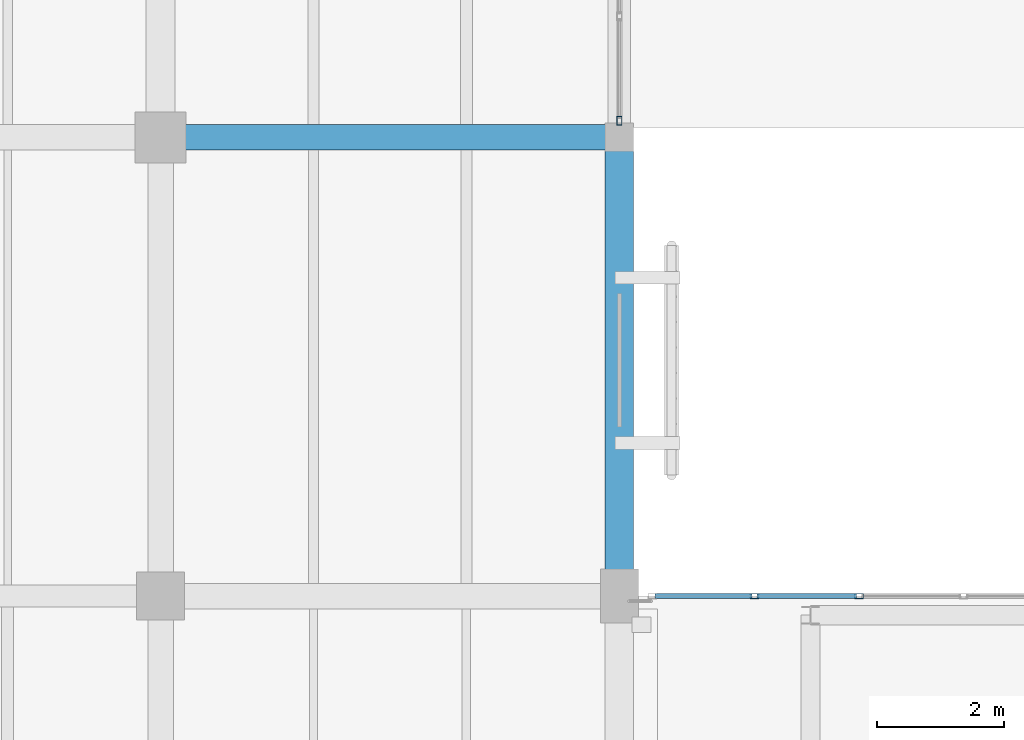
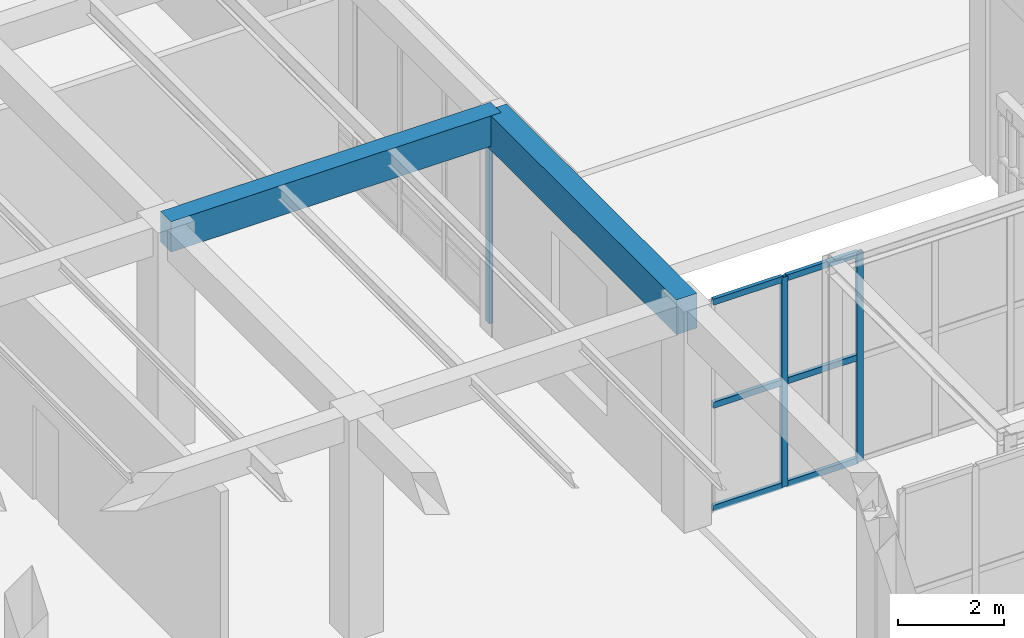
# One storey, part 35 of 169: 9 members, 2 beams, 2 elements without a shape of their own.
"""IFC4 building model written with IfcOpenShell, lengths in metres."""

from ifc_helpers import new_model, si_unit, direction, frame, origin, origin_2d, place, context, subcontext, project, spatial, rectangle, hollow_rectangle, extrude, material, layer, layer_set, material_profile, profile_set, type_object, element, aggregate, save


model = new_model("IFC4")

# Units and contexts
model_context = context("Model", 3, precision=1e-05, world=origin(), true_north=direction((0.0, 1.0)))
body_context = subcontext(model_context, "Body", "Model", "MODEL_VIEW")
ifc_project = project(units=[si_unit("LENGTHUNIT", "METRE"), si_unit("AREAUNIT", "SQUARE_METRE"), si_unit("VOLUMEUNIT", "CUBIC_METRE"), si_unit("PLANEANGLEUNIT", "RADIAN"), si_unit("MASSUNIT", "GRAM", prefix="KILO")], contexts=[model_context])

# Site, building, storey
site_placement = place(None, origin())
site = spatial("IfcSite", under=ifc_project, at=site_placement, CompositionType="ELEMENT")
building_placement = place(site_placement, origin())
building = spatial("IfcBuilding", under=site, at=building_placement, Name="Mazaris Harbour Polytechnic", CompositionType="ELEMENT")
storey_placement = place(building_placement, origin())
storey = spatial("IfcBuildingStorey", under=building, at=storey_placement, Name="L00", CompositionType="ELEMENT", Elevation=0.0)

# Curtain wall, member
ifc_material_1 = material(Name="Anodised Bronze Aluminium and Low-E Glass", Category="aluminium")
ifc_layer_1 = layer(ifc_material_1, 0.159912109375, Name="Anodised Bronze Aluminium and Low-E Glass")
ifc_layer_set_1 = layer_set([ifc_layer_1], Name="Anodised Bronze Aluminium and Low-E Glass")
curtain_wall_type_1 = type_object("IfcCurtainWallType", Name="Cloister Court Curtain Wall", PredefinedType="NOTDEFINED", material=ifc_layer_set_1)
curtain_wall_1_placement = place(storey_placement, origin())
curtain_wall_1 = element("IfcCurtainWall", 1, at=curtain_wall_1_placement, inside=storey, type_object=curtain_wall_type_1, Name="V4 L00 Curtain Wall 96", PredefinedType="NOTDEFINED")
ifc_material_2 = material(Name="Anodised Bronze Steel S355", Category="steel")
ifc_material_profile_1 = material_profile(ifc_material_2, hollow_rectangle(XDim=0.080078125, YDim=0.139892578125, WallThickness=0.00634765625, at=origin_2d()), Name="RHS 80x140x6.3")
ifc_profile_set_1 = profile_set([ifc_material_profile_1], Name="Anodised Bronze Steel S355")
member_type_1 = type_object("IfcMemberType", Name="Curtain Mullion RHS80x140", PredefinedType="MULLION", material=ifc_profile_set_1)
member_1_placement = place(storey_placement, frame((43.199951171875, 36.257080078125, 0.0), z_axis=(0.0, 0.0, 1.0), x_axis=(1.0, 0.0, 0.0)))
member_1 = element("IfcMember", 2, at=member_1_placement, type_object=member_type_1, Name="CW-02 mullion 5", PredefinedType="MULLION", context=body_context, shape_type="SweptSolid", body=[
    extrude(hollow_rectangle(XDim=0.080078125, YDim=0.139892578125, WallThickness=0.00634765625, at=origin_2d()), origin(), (0.0, 0.0, 1.0), 4.489990234375),
])
aggregate(curtain_wall_1, [member_1])

# Curtain wall, members
ifc_material_3 = material(Name="Anodised Bronze Aluminium and Low-E Glass", Category="aluminium")
ifc_layer_2 = layer(ifc_material_3, 0.139892578125, Name="Anodised Bronze Aluminium and Low-E Glass")
ifc_layer_set_2 = layer_set([ifc_layer_2], Name="Anodised Bronze Aluminium and Low-E Glass")
curtain_wall_type_2 = type_object("IfcCurtainWallType", Name="Seismic Link Bridge Glazing", PredefinedType="NOTDEFINED", material=ifc_layer_set_2)
curtain_wall_2_placement = place(storey_placement, origin())
curtain_wall_2 = element("IfcCurtainWall", 3, at=curtain_wall_2_placement, inside=storey, type_object=curtain_wall_type_2, Name="PB-W1 L00 Bridge Glazing", PredefinedType="NOTDEFINED")
member_2_placement = place(storey_placement, frame((46.9599609375, 28.800048828125, 0.0), z_axis=(0.0, 0.0, 1.0), x_axis=(0.0, -1.0, 0.0)))
member_2 = element("IfcMember", 4, at=member_2_placement, type_object=member_type_1, Name="CW-05 mullion 5", PredefinedType="MULLION", context=body_context, shape_type="SweptSolid", body=[
    extrude(hollow_rectangle(XDim=0.080078125, YDim=0.139892578125, WallThickness=0.00634765625, at=origin_2d()), origin(), (0.0, 0.0, 1.0), 4.8349609375),
])
member_3_placement = place(storey_placement, frame((45.320068359375, 28.800048828125, 0.0), z_axis=(0.0, 0.0, 1.0), x_axis=(0.0, -1.0, 0.0)))
member_3 = element("IfcMember", 5, at=member_3_placement, type_object=member_type_1, Name="CW-05 mullion 6", PredefinedType="MULLION", context=body_context, shape_type="SweptSolid", body=[
    extrude(hollow_rectangle(XDim=0.080078125, YDim=0.139892578125, WallThickness=0.00634765625, at=origin_2d()), origin(), (0.0, 0.0, 1.0), 4.8349609375),
])
ifc_material_4 = material(Name="Anodised Bronze Steel S355", Category="steel")
ifc_material_profile_2 = material_profile(ifc_material_4, hollow_rectangle(XDim=0.080078125, YDim=0.139892578125, WallThickness=0.00634765625, at=origin_2d()), Name="RHS 80x140x6.3")
ifc_profile_set_2 = profile_set([ifc_material_profile_2], Name="Anodised Bronze Steel S355")
member_type_2 = type_object("IfcMemberType", Name="Curtain Transom RHS80x140", PredefinedType="USERDEFINED", material=ifc_profile_set_2)
member_4_placement = place(storey_placement, frame((46.919921875, 28.800048828125, 0.0400390625), z_axis=(-1.0, 0.0, 0.0), x_axis=(0.0, -1.0, 0.0)))
member_4 = element("IfcMember", 6, at=member_4_placement, type_object=member_type_2, Name="CW-05 transom 5.1", ObjectType="TRANSOM", PredefinedType="USERDEFINED", context=body_context, shape_type="SweptSolid", body=[
    extrude(hollow_rectangle(XDim=0.080078125, YDim=0.139892578125, WallThickness=0.00634765625, at=origin_2d()), origin(), (0.0, 0.0, 1.0), 1.559814453125),
])
member_5_placement = place(storey_placement, frame((46.919921875, 28.800048828125, 2.41748046875), z_axis=(-1.0, 0.0, 0.0), x_axis=(0.0, -1.0, 0.0)))
member_5 = element("IfcMember", 7, at=member_5_placement, type_object=member_type_2, Name="CW-05 transom 5.2", ObjectType="TRANSOM", PredefinedType="USERDEFINED", context=body_context, shape_type="SweptSolid", body=[
    extrude(hollow_rectangle(XDim=0.080078125, YDim=0.139892578125, WallThickness=0.00634765625, at=origin_2d()), origin(), (0.0, 0.0, 1.0), 1.559814453125),
])
member_6_placement = place(storey_placement, frame((46.919921875, 28.800048828125, 4.794921875), z_axis=(-1.0, 0.0, 0.0), x_axis=(0.0, -1.0, 0.0)))
member_6 = element("IfcMember", 8, at=member_6_placement, type_object=member_type_2, Name="CW-05 transom 5.3", ObjectType="TRANSOM", PredefinedType="USERDEFINED", context=body_context, shape_type="SweptSolid", body=[
    extrude(hollow_rectangle(XDim=0.080078125, YDim=0.139892578125, WallThickness=0.00634765625, at=origin_2d()), origin(), (0.0, 0.0, 1.0), 1.559814453125),
])
member_7_placement = place(storey_placement, frame((45.280029296875, 28.800048828125, 0.0400390625), z_axis=(-1.0, 0.0, 0.0), x_axis=(0.0, -1.0, 0.0)))
member_7 = element("IfcMember", 9, at=member_7_placement, type_object=member_type_2, Name="CW-05 transom 6.1", ObjectType="TRANSOM", PredefinedType="USERDEFINED", context=body_context, shape_type="SweptSolid", body=[
    extrude(hollow_rectangle(XDim=0.080078125, YDim=0.139892578125, WallThickness=0.00634765625, at=origin_2d()), origin(), (0.0, 0.0, 1.0), 1.52001953125),
])
member_8_placement = place(storey_placement, frame((45.280029296875, 28.800048828125, 2.41748046875), z_axis=(-1.0, 0.0, 0.0), x_axis=(0.0, -1.0, 0.0)))
member_8 = element("IfcMember", 10, at=member_8_placement, type_object=member_type_2, Name="CW-05 transom 6.2", ObjectType="TRANSOM", PredefinedType="USERDEFINED", context=body_context, shape_type="SweptSolid", body=[
    extrude(hollow_rectangle(XDim=0.080078125, YDim=0.139892578125, WallThickness=0.00634765625, at=origin_2d()), origin(), (0.0, 0.0, 1.0), 1.52001953125),
])
member_9_placement = place(storey_placement, frame((45.280029296875, 28.800048828125, 4.794921875), z_axis=(-1.0, 0.0, 0.0), x_axis=(0.0, -1.0, 0.0)))
member_9 = element("IfcMember", 11, at=member_9_placement, type_object=member_type_2, Name="CW-05 transom 6.3", ObjectType="TRANSOM", PredefinedType="USERDEFINED", context=body_context, shape_type="SweptSolid", body=[
    extrude(hollow_rectangle(XDim=0.080078125, YDim=0.139892578125, WallThickness=0.00634765625, at=origin_2d()), origin(), (0.0, 0.0, 1.0), 1.52001953125),
])
aggregate(curtain_wall_2, [member_2, member_3, member_4, member_5, member_6, member_7, member_8, member_9])

# Beams
ifc_material_5 = material(Name="Concrete C35/45", Category="concrete")
ifc_material_profile_3 = material_profile(ifc_material_5, rectangle(XDim=0.39990234375, YDim=0.699951171875, at=origin_2d()), Name="RECT400x700")
ifc_profile_set_3 = profile_set([ifc_material_profile_3], Name="Concrete C35/45")
beam_type_1 = type_object("IfcBeamType", Name="RC Girder 400x700", PredefinedType="BEAM", material=ifc_profile_set_3)
beam_1_placement = place(storey_placement, frame((36.0, 36.0, 4.75), z_axis=(1.0, 0.0, 0.0), x_axis=(0.0, 1.0, 0.0)))
element("IfcBeam", 12, at=beam_1_placement, inside=storey, type_object=beam_type_1, Name="V4 L00 Girder 1382", PredefinedType="BEAM", context=body_context, shape_type="SweptSolid", body=[
    extrude(rectangle(XDim=0.39990234375, YDim=0.699951171875, at=origin_2d()), origin(), (0.0, 0.0, 1.0), 7.199951171875),
])
ifc_material_6 = material(Name="Concrete C40/50", Category="concrete")
ifc_material_profile_4 = material_profile(ifc_material_6, rectangle(XDim=0.449951171875, YDim=0.800048828125, at=origin_2d()), Name="RECT450x800")
ifc_profile_set_4 = profile_set([ifc_material_profile_4], Name="Concrete C40/50")
beam_type_2 = type_object("IfcBeamType", Name="RC Girder 450x800 Exterior", PredefinedType="BEAM", material=ifc_profile_set_4)
beam_2_placement = place(storey_placement, frame((43.199951171875, 28.800048828125, 4.699951171875), z_axis=(0.0, 1.0, 0.0), x_axis=(-1.0, 0.0, 0.0)))
element("IfcBeam", 13, at=beam_2_placement, inside=storey, type_object=beam_type_2, Name="V4 L00 Tie Girder 1494", PredefinedType="BEAM", context=body_context, shape_type="SweptSolid", body=[
    extrude(rectangle(XDim=0.449951171875, YDim=0.800048828125, at=origin_2d()), origin(), (0.0, 0.0, 1.0), 7.199951171875),
])

save(model, "model.ifc")
